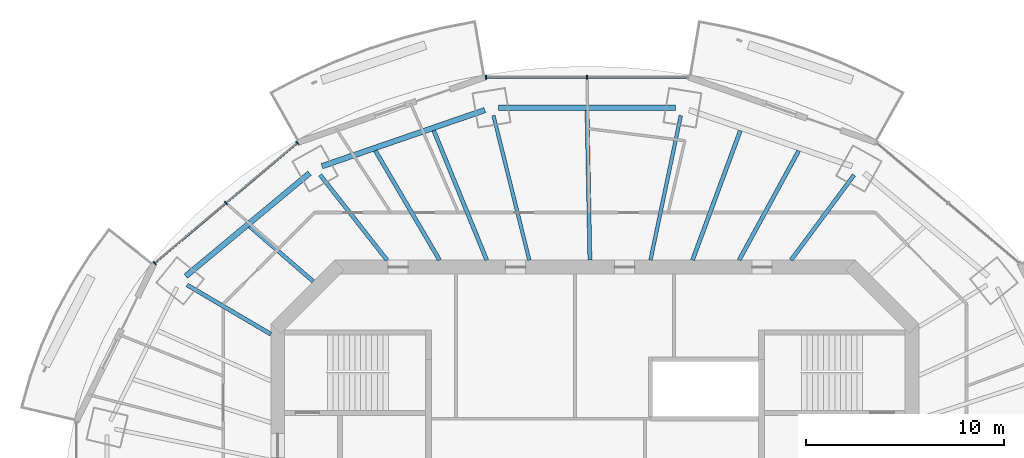
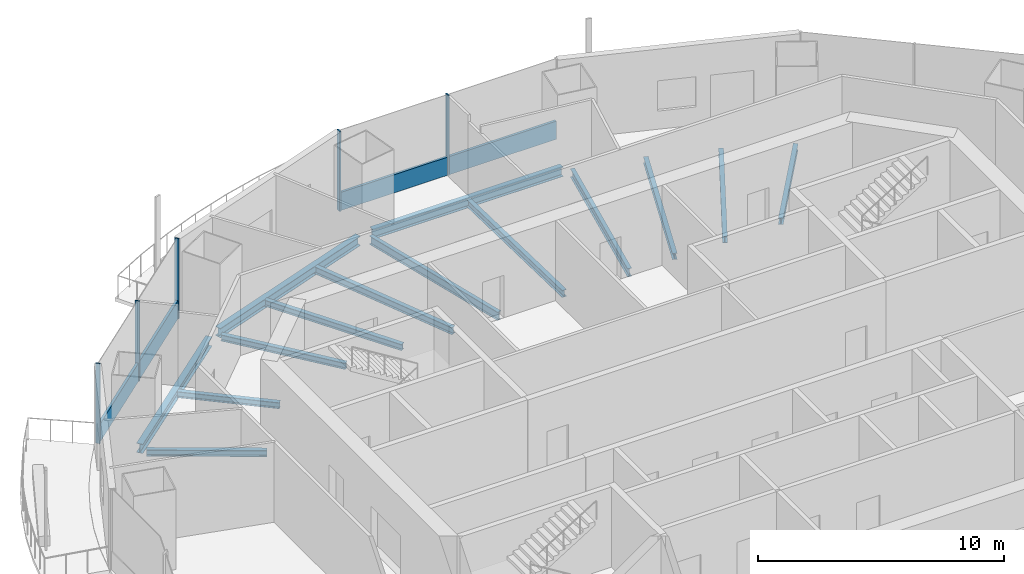
# One storey, part 5 of 16: 14 beams, 7 members, 2 elements without a shape of their own.
"""IFC4 building model written with IfcOpenShell, lengths in metres."""

from ifc_helpers import new_model, si_unit, direction, frame, origin, origin_2d, place, context, subcontext, project, spatial, rectangle, i_section, extrude, material, material_profile, profile_set, type_object, element, aggregate, save


model = new_model("IFC4")

# Units and contexts
model_context = context("Model", 3, precision=1e-05, world=origin(), true_north=direction((0.0, 1.0)))
body_context = subcontext(model_context, "Body", "Model", "MODEL_VIEW")
ifc_project = project(units=[si_unit("LENGTHUNIT", "METRE"), si_unit("AREAUNIT", "SQUARE_METRE"), si_unit("VOLUMEUNIT", "CUBIC_METRE"), si_unit("PLANEANGLEUNIT", "RADIAN"), si_unit("MASSUNIT", "GRAM", prefix="KILO")], contexts=[model_context])

# Site, building, storey
site_placement = place(None, origin())
site = spatial("IfcSite", under=ifc_project, at=site_placement, CompositionType="ELEMENT")
building_placement = place(site_placement, origin())
building = spatial("IfcBuilding", under=site, at=building_placement, Name="Marenthal Gate Tower", CompositionType="ELEMENT")
storey_placement = place(building_placement, frame((0.0, 0.0, 359.199951171875)))
storey = spatial("IfcBuildingStorey", under=building, at=storey_placement, Name="L81", CompositionType="ELEMENT", Elevation=359.199951171875)

# Curtain wall, members
ifc_material_1 = material(Name="Aluminium and glass", Category="aluminium")
curtain_wall_type = type_object("IfcCurtainWallType", Name="Curtain wall typical high", PredefinedType="NOTDEFINED", material=ifc_material_1)
curtain_wall_1_placement = place(storey_placement, origin())
curtain_wall_1 = element("IfcCurtainWall", 1, at=curtain_wall_1_placement, inside=storey, type_object=curtain_wall_type, Name="Curtain wall L81 bay 4", PredefinedType="NOTDEFINED")
ifc_material_2 = material(Name="Aluminium", Category="aluminium")
ifc_material_profile_1 = material_profile(ifc_material_2, rectangle(XDim=0.199951171875, YDim=0.06005859375, at=origin_2d()), Name="60x200 aluminium mullion")
ifc_profile_set_1 = profile_set([ifc_material_profile_1], Name="Aluminium")
member_type_1 = type_object("IfcMemberType", Name="Mullion 60x200 typical high", PredefinedType="MULLION", material=ifc_profile_set_1)
member_1_placement = place(storey_placement, frame((-0.39990234375, 22.586181640625, 0.0), z_axis=(0.0, 0.0, 1.0), x_axis=(0.0, -1.0, 0.0)))
member_1 = element("IfcMember", 2, at=member_1_placement, type_object=member_type_1, Name="Mullion L81 bay 4.2", PredefinedType="MULLION", context=body_context, shape_type="SweptSolid", body=[
    extrude(rectangle(XDim=0.199951171875, YDim=0.06005859375, at=origin_2d()), origin(), (0.0, 0.0, 1.0), 3.969970703125),
])
member_2_placement = place(storey_placement, frame((-5.493896484375, 22.586181640625, 0.0), z_axis=(0.0, 0.0, 1.0), x_axis=(0.0, -1.0, 0.0)))
member_2 = element("IfcMember", 3, at=member_2_placement, type_object=member_type_1, Name="Mullion L81 bay 4.3", PredefinedType="MULLION", context=body_context, shape_type="SweptSolid", body=[
    extrude(rectangle(XDim=0.199951171875, YDim=0.06005859375, at=origin_2d()), origin(), (0.0, 0.0, 1.0), 3.969970703125),
])

curtain_wall_2_placement = place(storey_placement, origin())
curtain_wall_2 = element("IfcCurtainWall", 4, at=curtain_wall_2_placement, inside=storey, type_object=curtain_wall_type, Name="Curtain wall L81 bay 6", PredefinedType="NOTDEFINED")
member_3_placement = place(storey_placement, frame((-15.01513671875, 19.265380859375, 0.0), z_axis=(0.0, 0.0, 1.0), x_axis=(0.644022605429, -0.765006459905, 0.0)))
member_3 = element("IfcMember", 5, at=member_3_placement, type_object=member_type_1, Name="Mullion L81 bay 6.1", PredefinedType="MULLION", context=body_context, shape_type="SweptSolid", body=[
    extrude(rectangle(XDim=0.199951171875, YDim=0.06005859375, at=origin_2d()), origin(), (0.0, 0.0, 1.0), 3.969970703125),
])
member_4_placement = place(storey_placement, frame((-18.615234375, 16.234375, 0.0), z_axis=(0.0, 0.0, 1.0), x_axis=(0.644022605429, -0.765006459905, 0.0)))
member_4 = element("IfcMember", 6, at=member_4_placement, type_object=member_type_1, Name="Mullion L81 bay 6.2", PredefinedType="MULLION", context=body_context, shape_type="SweptSolid", body=[
    extrude(rectangle(XDim=0.199951171875, YDim=0.06005859375, at=origin_2d()), origin(), (0.0, 0.0, 1.0), 3.969970703125),
])
member_5_placement = place(storey_placement, frame((-22.215576171875, 13.20361328125, 0.0), z_axis=(0.0, 0.0, 1.0), x_axis=(0.644022605429, -0.765006459905, 0.0)))
member_5 = element("IfcMember", 7, at=member_5_placement, type_object=member_type_1, Name="Mullion L81 bay 6.3", PredefinedType="MULLION", context=body_context, shape_type="SweptSolid", body=[
    extrude(rectangle(XDim=0.199951171875, YDim=0.06005859375, at=origin_2d()), origin(), (0.0, 0.0, 1.0), 3.969970703125),
])

# Member
ifc_material_3 = material(Name="Aluminium", Category="aluminium")
ifc_material_profile_2 = material_profile(ifc_material_3, rectangle(XDim=0.1201171875, YDim=0.89990234375, at=origin_2d()), Name="120x900 aluminium transom")
ifc_profile_set_2 = profile_set([ifc_material_profile_2], Name="Aluminium")
member_type_2 = type_object("IfcMemberType", Name="Transom 120x900 typical high", PredefinedType="USERDEFINED", material=ifc_profile_set_2)
member_6_placement = place(storey_placement, frame((4.6640625, 22.586181640625, 0.449951171875), z_axis=(-1.0, 0.0, 0.0), x_axis=(0.0, -1.0, 0.0)))
member_6 = element("IfcMember", 8, at=member_6_placement, type_object=member_type_2, Name="Transom L81 bay 4", ObjectType="TRANSOM", PredefinedType="USERDEFINED", context=body_context, shape_type="SweptSolid", body=[
    extrude(rectangle(XDim=0.1201171875, YDim=0.89990234375, at=origin_2d()), origin(), (0.0, 0.0, 1.0), 10.128173828125),
])

aggregate(curtain_wall_1, [member_1, member_2, member_6])

member_7_placement = place(storey_placement, frame((-15.0380859375, 19.245849609375, 0.449951171875), z_axis=(-0.76501273232, -0.644015154626, 0.0), x_axis=(0.644015154626, -0.76501273232, 0.0)))
member_7 = element("IfcMember", 9, at=member_7_placement, type_object=member_type_2, Name="Transom L81 bay 6", ObjectType="TRANSOM", PredefinedType="USERDEFINED", context=body_context, shape_type="SweptSolid", body=[
    extrude(rectangle(XDim=0.1201171875, YDim=0.89990234375, at=origin_2d()), origin(), (0.0, 0.0, 1.0), 9.352294921875),
])

aggregate(curtain_wall_2, [member_3, member_4, member_5, member_7])

# Beams
ifc_material_4 = material(Name="Steel S355", Category="steel")
ifc_material_profile_3 = material_profile(ifc_material_4, i_section(OverallWidth=0.202880859375, OverallDepth=0.302001953125, WebThickness=0.007568359375, FlangeThickness=0.01318359375, FilletRadius=0.0126953125, at=origin_2d()), Name="W310X60")
ifc_profile_set_3 = profile_set([ifc_material_profile_3], Name="Steel S355")
beam_type_1 = type_object("IfcBeamType", Name="W310X60 beam", PredefinedType="BEAM", material=ifc_profile_set_3)
beam_1_placement = place(storey_placement, frame((-17.41259765625, 15.046142578125, -0.3310546875), z_axis=(0.756654197552, -0.653815283797, 0.0), x_axis=(0.653815283797, 0.756654197552, 0.0)))
element("IfcBeam", 10, at=beam_1_placement, inside=storey, type_object=beam_type_1, Name="BM-L81-25", PredefinedType="BEAM", context=body_context, shape_type="SweptSolid", body=[
    extrude(i_section(OverallWidth=0.202880859375, OverallDepth=0.302001953125, WebThickness=0.007568359375, FlangeThickness=0.01318359375, FilletRadius=0.0126953125, at=origin_2d()), origin(), (0.0, 0.0, 1.0), 4.22802734375),
])
ifc_material_5 = material(Name="Steel S355", Category="steel")
ifc_material_profile_4 = material_profile(ifc_material_5, i_section(OverallWidth=0.205078125, OverallDepth=0.31005859375, WebThickness=0.009521484375, FlangeThickness=0.016357421875, FilletRadius=0.0126953125, at=origin_2d()), Name="W310X74")
ifc_profile_set_4 = profile_set([ifc_material_profile_4], Name="Steel S355")
beam_type_2 = type_object("IfcBeamType", Name="W310X74 beam", PredefinedType="BEAM", material=ifc_profile_set_4)
beam_2_placement = place(storey_placement, frame((13.071533203125, 17.643310546875, -0.3349609375), z_axis=(-0.595288742749, -0.803511862238, 0.0), x_axis=(0.803511862238, -0.595288742749, 0.0)))
element("IfcBeam", 11, at=beam_2_placement, inside=storey, type_object=beam_type_2, Name="BM-L81-03", PredefinedType="BEAM", context=body_context, shape_type="SweptSolid", body=[
    extrude(i_section(OverallWidth=0.205078125, OverallDepth=0.31005859375, WebThickness=0.009521484375, FlangeThickness=0.016357421875, FilletRadius=0.0126953125, at=origin_2d()), origin(), (0.0, 0.0, 1.0), 5.343017578125),
])
beam_3_placement = place(storey_placement, frame((-13.860107421875, 17.647216796875, -0.3349609375), z_axis=(0.617673543171, -0.786434608894, 0.0), x_axis=(0.786434608894, 0.617673543171, 0.0)))
element("IfcBeam", 12, at=beam_3_placement, inside=storey, type_object=beam_type_2, Name="BM-L81-06", PredefinedType="BEAM", context=body_context, shape_type="SweptSolid", body=[
    extrude(i_section(OverallWidth=0.205078125, OverallDepth=0.31005859375, WebThickness=0.009521484375, FlangeThickness=0.016357421875, FilletRadius=0.0126953125, at=origin_2d()), origin(), (0.0, 0.0, 1.0), 5.464111328125),
])
beam_4_placement = place(storey_placement, frame((-20.57177734375, 12.098876953125, -0.3349609375), z_axis=(0.861950873006, -0.506991807156, 0.0), x_axis=(0.506991807156, 0.861950873006, 0.0)))
element("IfcBeam", 13, at=beam_4_placement, inside=storey, type_object=beam_type_2, Name="BM-L81-07", PredefinedType="BEAM", context=body_context, shape_type="SweptSolid", body=[
    extrude(i_section(OverallWidth=0.205078125, OverallDepth=0.31005859375, WebThickness=0.009521484375, FlangeThickness=0.016357421875, FilletRadius=0.0126953125, at=origin_2d()), origin(), (0.0, 0.0, 1.0), 4.897705078125),
])
beam_5_placement = place(storey_placement, frame((10.280517578125, 18.868408203125, -0.3349609375), z_axis=(-0.478465572796, -0.87810631227, 0.0), x_axis=(0.87810631227, -0.478465572796, 0.0)))
element("IfcBeam", 14, at=beam_5_placement, inside=storey, type_object=beam_type_2, Name="BM-L81-20", PredefinedType="BEAM", context=body_context, shape_type="SweptSolid", body=[
    extrude(i_section(OverallWidth=0.205078125, OverallDepth=0.31005859375, WebThickness=0.009521484375, FlangeThickness=0.016357421875, FilletRadius=0.0126953125, at=origin_2d()), origin(), (0.0, 0.0, 1.0), 6.284423828125),
])
beam_6_placement = place(storey_placement, frame((7.333740234375, 19.8837890625, -0.3349609375), z_axis=(-0.34605462935, -0.938214364367, 0.0), x_axis=(0.938214364367, -0.34605462935, 0.0)))
element("IfcBeam", 15, at=beam_6_placement, inside=storey, type_object=beam_type_2, Name="BM-L81-21", PredefinedType="BEAM", context=body_context, shape_type="SweptSolid", body=[
    extrude(i_section(OverallWidth=0.205078125, OverallDepth=0.31005859375, WebThickness=0.009521484375, FlangeThickness=0.016357421875, FilletRadius=0.0126953125, at=origin_2d()), origin(), (0.0, 0.0, 1.0), 6.9638671875),
])
beam_7_placement = place(storey_placement, frame((-11.076171875, 18.8701171875, -0.3349609375), z_axis=(0.506226470538, -0.862400580083, 0.0), x_axis=(0.862400580083, 0.506226470538, 0.0)))
element("IfcBeam", 16, at=beam_7_placement, inside=storey, type_object=beam_type_2, Name="BM-L81-24", PredefinedType="BEAM", context=body_context, shape_type="SweptSolid", body=[
    extrude(i_section(OverallWidth=0.205078125, OverallDepth=0.31005859375, WebThickness=0.009521484375, FlangeThickness=0.016357421875, FilletRadius=0.0126953125, at=origin_2d()), origin(), (0.0, 0.0, 1.0), 6.40087890625),
])
ifc_material_6 = material(Name="Steel S355", Category="steel")
ifc_material_profile_5 = material_profile(ifc_material_6, i_section(OverallWidth=0.205078125, OverallDepth=0.35302734375, WebThickness=0.009521484375, FlangeThickness=0.016845703125, FilletRadius=0.014892578125, at=origin_2d()), Name="W360X79")
ifc_profile_set_5 = profile_set([ifc_material_profile_5], Name="Steel S355")
beam_type_3 = type_object("IfcBeamType", Name="W360X79 beam", PredefinedType="BEAM", material=ifc_profile_set_5)
beam_8_placement = place(storey_placement, frame((-0.397216796875, 20.89697265625, -0.3564453125), z_axis=(0.018985966402, -0.999819750295, 0.0), x_axis=(0.999819750295, 0.018985966402, 0.0)))
element("IfcBeam", 17, at=beam_8_placement, inside=storey, type_object=beam_type_3, Name="BM-L81-22", PredefinedType="BEAM", context=body_context, shape_type="SweptSolid", body=[
    extrude(i_section(OverallWidth=0.205078125, OverallDepth=0.35302734375, WebThickness=0.009521484375, FlangeThickness=0.016845703125, FilletRadius=0.014892578125, at=origin_2d()), origin(), (0.0, 0.0, 1.0), 7.54833984375),
])
beam_9_placement = place(storey_placement, frame((-8.129150390625, 19.88525390625, -0.3564453125), z_axis=(0.378409319128, -0.925638367397, 0.0), x_axis=(0.925638367397, 0.378409319128, 0.0)))
element("IfcBeam", 18, at=beam_9_placement, inside=storey, type_object=beam_type_3, Name="BM-L81-23", PredefinedType="BEAM", context=body_context, shape_type="SweptSolid", body=[
    extrude(i_section(OverallWidth=0.205078125, OverallDepth=0.35302734375, WebThickness=0.009521484375, FlangeThickness=0.016845703125, FilletRadius=0.014892578125, at=origin_2d()), origin(), (0.0, 0.0, 1.0), 7.06005859375),
])
ifc_material_7 = material(Name="Steel S355", Category="steel")
ifc_material_profile_6 = material_profile(ifc_material_7, i_section(OverallWidth=0.180908203125, OverallDepth=0.4169921875, WebThickness=0.010986328125, FlangeThickness=0.018310546875, FilletRadius=0.01025390625, at=origin_2d()), Name="W410X85")
ifc_profile_set_6 = profile_set([ifc_material_profile_6], Name="Steel S355")
beam_type_4 = type_object("IfcBeamType", Name="W410X85 beam", PredefinedType="BEAM", material=ifc_profile_set_6)
beam_10_placement = place(storey_placement, frame((4.33349609375, 20.644287109375, -0.388427734375), z_axis=(-0.205449154354, -0.978667790915, 0.0), x_axis=(0.978667790915, -0.205449154354, 0.0)))
element("IfcBeam", 19, at=beam_10_placement, inside=storey, type_object=beam_type_4, Name="BM-L81-04", PredefinedType="BEAM", context=body_context, shape_type="SweptSolid", body=[
    extrude(i_section(OverallWidth=0.180908203125, OverallDepth=0.4169921875, WebThickness=0.010986328125, FlangeThickness=0.018310546875, FilletRadius=0.01025390625, at=origin_2d()), origin(), (0.0, 0.0, 1.0), 7.453125),
])
beam_11_placement = place(storey_placement, frame((-5.118896484375, 20.6455078125, -0.388427734375), z_axis=(0.240655066807, -0.970610704052, 0.0), x_axis=(0.970610704052, 0.240655066807, 0.0)))
element("IfcBeam", 20, at=beam_11_placement, inside=storey, type_object=beam_type_4, Name="BM-L81-05", PredefinedType="BEAM", context=body_context, shape_type="SweptSolid", body=[
    extrude(i_section(OverallWidth=0.180908203125, OverallDepth=0.4169921875, WebThickness=0.010986328125, FlangeThickness=0.018310546875, FilletRadius=0.01025390625, at=origin_2d()), origin(), (0.0, 0.0, 1.0), 7.516357421875),
])
ifc_material_8 = material(Name="Steel S355", Category="steel")
ifc_material_profile_7 = material_profile(ifc_material_8, i_section(OverallWidth=0.279052734375, OverallDepth=0.4619140625, WebThickness=0.0107421875, FlangeThickness=0.017333984375, FilletRadius=0.010009765625, at=origin_2d()), Name="W460X113")
ifc_profile_set_7 = profile_set([ifc_material_profile_7], Name="Steel S355")
beam_type_5 = type_object("IfcBeamType", Name="W460X113 beam", PredefinedType="BEAM", material=ifc_profile_set_7)
beam_12_placement = place(storey_placement, frame((4.05419921875, 21.03662109375, -0.410888671875), z_axis=(-1.0, 0.0, 0.0), x_axis=(0.0, -1.0, 0.0)))
element("IfcBeam", 21, at=beam_12_placement, inside=storey, type_object=beam_type_5, Name="BM-L81-42", PredefinedType="BEAM", context=body_context, shape_type="SweptSolid", body=[
    extrude(i_section(OverallWidth=0.279052734375, OverallDepth=0.4619140625, WebThickness=0.0107421875, FlangeThickness=0.017333984375, FilletRadius=0.010009765625, at=origin_2d()), origin(), (0.0, 0.0, 1.0), 8.908447265625),
])
beam_13_placement = place(storey_placement, frame((-5.55810546875, 20.918701171875, -0.410888671875), z_axis=(-0.945456581445, -0.325748142898, 0.0), x_axis=(0.325748142898, -0.945456581445, 0.0)))
element("IfcBeam", 22, at=beam_13_placement, inside=storey, type_object=beam_type_5, Name="BM-L81-43", PredefinedType="BEAM", context=body_context, shape_type="SweptSolid", body=[
    extrude(i_section(OverallWidth=0.279052734375, OverallDepth=0.4619140625, WebThickness=0.0107421875, FlangeThickness=0.017333984375, FilletRadius=0.010009765625, at=origin_2d()), origin(), (0.0, 0.0, 1.0), 8.6865234375),
])
beam_14_placement = place(storey_placement, frame((-14.39501953125, 17.737548828125, -0.410888671875), z_axis=(-0.768814455902, -0.639471916816, 0.0), x_axis=(0.639471916816, -0.768814455902, 0.0)))
element("IfcBeam", 23, at=beam_14_placement, inside=storey, type_object=beam_type_5, Name="BM-L81-44", PredefinedType="BEAM", context=body_context, shape_type="SweptSolid", body=[
    extrude(i_section(OverallWidth=0.279052734375, OverallDepth=0.4619140625, WebThickness=0.0107421875, FlangeThickness=0.017333984375, FilletRadius=0.010009765625, at=origin_2d()), origin(), (0.0, 0.0, 1.0), 8.1259765625),
])

save(model, "model.ifc")
